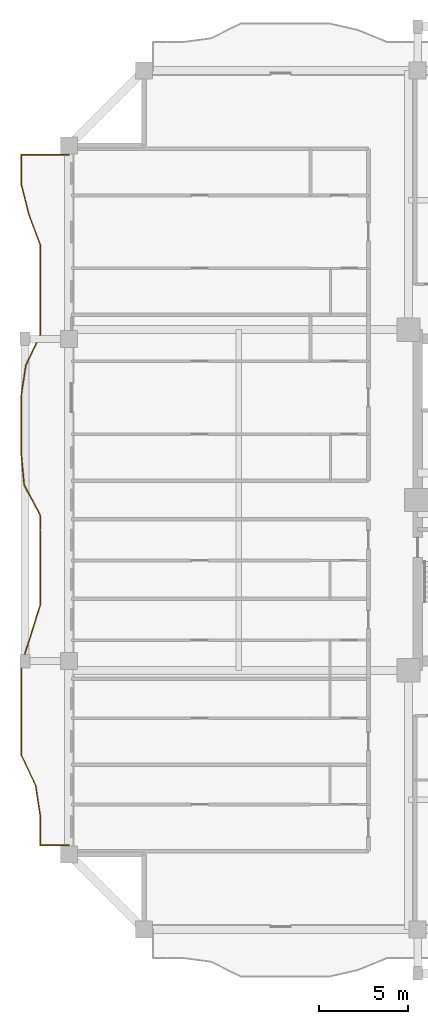
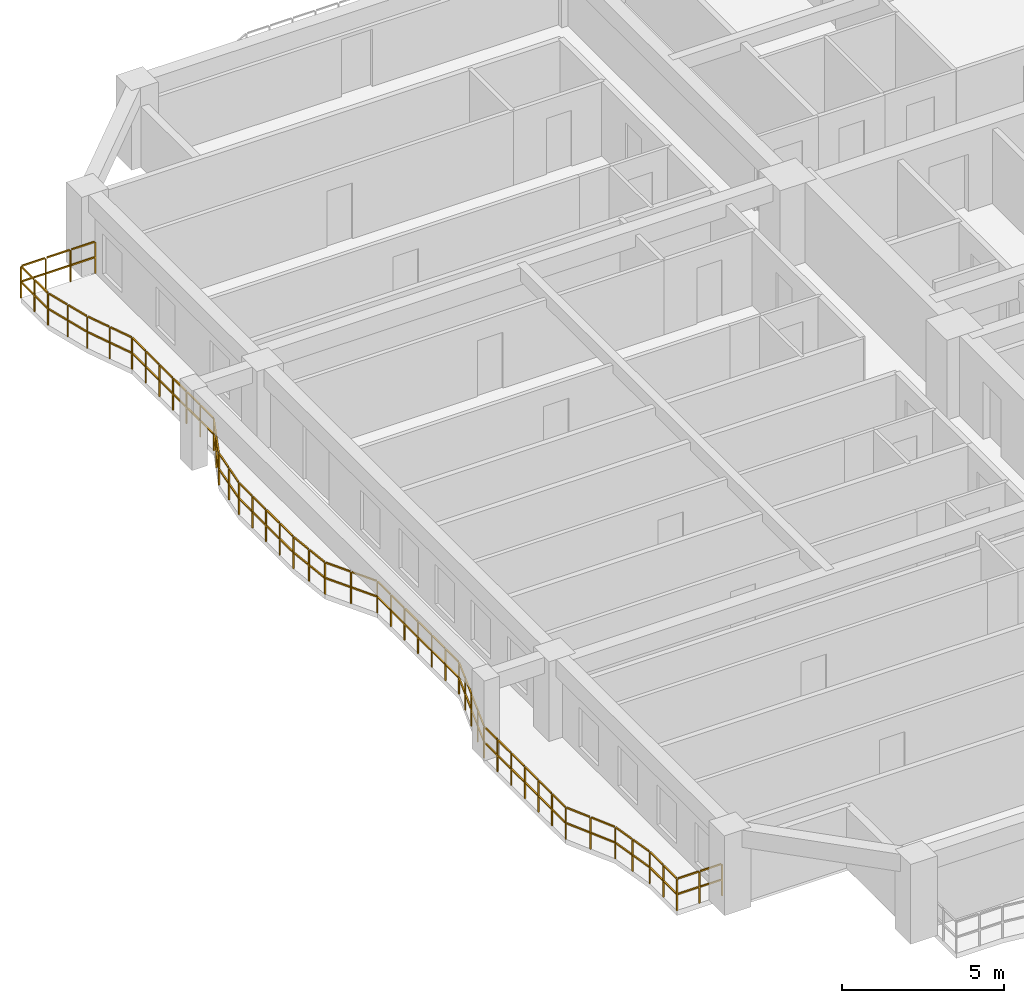
# One storey, part 10 of 13: 1 railing.
"""IFC4 building model written with IfcOpenShell, lengths in metres."""

from ifc_helpers import new_model, si_unit, direction, frame, origin, origin_2d, place, context, subcontext, project, spatial, rectangle, extrude, material, type_object, element, save


model = new_model("IFC4")

# Units and contexts
model_context = context("Model", 3, precision=1e-05, world=origin(), true_north=direction((0.0, 1.0)))
body_context = subcontext(model_context, "Body", "Model", "MODEL_VIEW")
ifc_project = project(units=[si_unit("LENGTHUNIT", "METRE"), si_unit("AREAUNIT", "SQUARE_METRE"), si_unit("VOLUMEUNIT", "CUBIC_METRE"), si_unit("PLANEANGLEUNIT", "RADIAN"), si_unit("MASSUNIT", "GRAM", prefix="KILO")], contexts=[model_context])

# Site, building, storey
site_placement = place(None, origin())
site = spatial("IfcSite", under=ifc_project, at=site_placement, CompositionType="ELEMENT")
building_placement = place(site_placement, origin())
building = spatial("IfcBuilding", under=site, at=building_placement, Name="Saelheon Loggia Tower", CompositionType="ELEMENT")
storey_placement = place(building_placement, frame((0.0, 0.0, 132.75)))
storey = spatial("IfcBuildingStorey", under=building, at=storey_placement, Name="L42", CompositionType="ELEMENT", Elevation=132.75)

# Railing
ifc_material = material(Name="Architectural Precast Concrete and Laminated Glass Guard", Category="concrete")
railing_type = type_object("IfcRailingType", Name="Guard_Loggia_RL_LOG", PredefinedType="BALUSTRADE", material=ifc_material)
railing_placement = place(storey_placement, frame((12.0, 46.300048828125, 0.0)))
element("IfcRailing", 1, at=railing_placement, inside=storey, type_object=railing_type, Name="L42 West Loggia Balustrade", PredefinedType="BALUSTRADE", context=body_context, shape_type="SweptSolid", body=[
    extrude(rectangle(XDim=0.048095703125, YDim=0.048095703125, at=origin_2d()), frame((-0.033203125, 0.0, 1.19580078125), z_axis=(-1.0, 0.0, 0.0), x_axis=(0.0, -1.0, 0.0)), (0.0, 0.0, 1.0), 0.81689453125),
    extrude(rectangle(XDim=0.048095703125, YDim=0.048095703125, at=origin_2d()), frame((-0.033203125, 0.0, 0.60986328125), z_axis=(-1.0, 0.0, 0.0), x_axis=(0.0, -1.0, 0.0)), (0.0, 0.0, 1.0), 0.81689453125),
    extrude(rectangle(XDim=0.048095703125, YDim=0.048095703125, at=origin_2d()), frame((-0.91650390625, 0.0, 1.19580078125), z_axis=(-1.0, 0.0, 0.0), x_axis=(0.0, -1.0, 0.0)), (0.0, 0.0, 1.0), 0.81689453125),
    extrude(rectangle(XDim=0.048095703125, YDim=0.048095703125, at=origin_2d()), frame((-0.91650390625, 0.0, 0.60986328125), z_axis=(-1.0, 0.0, 0.0), x_axis=(0.0, -1.0, 0.0)), (0.0, 0.0, 1.0), 0.81689453125),
    extrude(rectangle(XDim=0.048095703125, YDim=0.048095703125, at=origin_2d()), frame((-1.7998046875, 0.0, 1.19580078125), z_axis=(-1.0, 0.0, 0.0), x_axis=(0.0, -1.0, 0.0)), (0.0, 0.0, 1.0), 0.81689453125),
    extrude(rectangle(XDim=0.048095703125, YDim=0.048095703125, at=origin_2d()), frame((-1.7998046875, 0.0, 0.60986328125), z_axis=(-1.0, 0.0, 0.0), x_axis=(0.0, -1.0, 0.0)), (0.0, 0.0, 1.0), 0.81689453125),
    extrude(rectangle(XDim=0.048095703125, YDim=0.048095703125, at=origin_2d()), frame((-2.64990234375, -0.033203125, 1.19580078125), z_axis=(0.0, -1.0, 0.0), x_axis=(1.0, 0.0, 0.0)), (0.0, 0.0, 1.0), 0.772705078125),
    extrude(rectangle(XDim=0.048095703125, YDim=0.048095703125, at=origin_2d()), frame((-2.64990234375, -0.033203125, 0.60986328125), z_axis=(0.0, -1.0, 0.0), x_axis=(1.0, 0.0, 0.0)), (0.0, 0.0, 1.0), 0.772705078125),
    extrude(rectangle(XDim=0.048095703125, YDim=0.048095703125, at=origin_2d()), frame((-2.64990234375, -0.87255859375, 1.19580078125), z_axis=(0.0, -1.0, 0.0), x_axis=(1.0, 0.0, 0.0)), (0.0, 0.0, 1.0), 0.772705078125),
    extrude(rectangle(XDim=0.048095703125, YDim=0.048095703125, at=origin_2d()), frame((-2.64990234375, -0.87255859375, 0.60986328125), z_axis=(0.0, -1.0, 0.0), x_axis=(1.0, 0.0, 0.0)), (0.0, 0.0, 1.0), 0.772705078125),
    extrude(rectangle(XDim=0.048095703125, YDim=0.048095703125, at=origin_2d()), frame((-2.641845703125, -1.710693359375, 1.19580078125), z_axis=(0.243830259239, -0.969817923468, 0.0), x_axis=(0.969817923468, 0.243830259239, 0.0)), (0.0, 0.0, 1.0), 0.798583984375),
    extrude(rectangle(XDim=0.048095703125, YDim=0.048095703125, at=origin_2d()), frame((-2.641845703125, -1.710693359375, 0.60986328125), z_axis=(0.243830259239, -0.969817923468, 0.0), x_axis=(0.969817923468, 0.243830259239, 0.0)), (0.0, 0.0, 1.0), 0.798583984375),
    extrude(rectangle(XDim=0.048095703125, YDim=0.048095703125, at=origin_2d()), frame((-2.430908203125, -2.5498046875, 1.19580078125), z_axis=(0.243830259239, -0.969817923468, 0.0), x_axis=(0.969817923468, 0.243830259239, 0.0)), (0.0, 0.0, 1.0), 0.798583984375),
    extrude(rectangle(XDim=0.048095703125, YDim=0.048095703125, at=origin_2d()), frame((-2.430908203125, -2.5498046875, 0.60986328125), z_axis=(0.243830259239, -0.969817923468, 0.0), x_axis=(0.969817923468, 0.243830259239, 0.0)), (0.0, 0.0, 1.0), 0.798583984375),
    extrude(rectangle(XDim=0.048095703125, YDim=0.048095703125, at=origin_2d()), frame((-2.21630859375, -3.387451171875, 1.19580078125), z_axis=(0.350391780818, -0.936603224388, 0.0), x_axis=(0.936603224388, 0.350391780818, 0.0)), (0.0, 0.0, 1.0), 0.82958984375),
    extrude(rectangle(XDim=0.048095703125, YDim=0.048095703125, at=origin_2d()), frame((-2.21630859375, -3.387451171875, 0.60986328125), z_axis=(0.350391780818, -0.936603224388, 0.0), x_axis=(0.936603224388, 0.350391780818, 0.0)), (0.0, 0.0, 1.0), 0.82958984375),
    extrude(rectangle(XDim=0.048095703125, YDim=0.048095703125, at=origin_2d()), frame((-1.90234375, -4.226806640625, 1.19580078125), z_axis=(0.350391780818, -0.936603224388, 0.0), x_axis=(0.936603224388, 0.350391780818, 0.0)), (0.0, 0.0, 1.0), 0.82958984375),
    extrude(rectangle(XDim=0.048095703125, YDim=0.048095703125, at=origin_2d()), frame((-1.90234375, -4.226806640625, 0.60986328125), z_axis=(0.350391780818, -0.936603224388, 0.0), x_axis=(0.936603224388, 0.350391780818, 0.0)), (0.0, 0.0, 1.0), 0.82958984375),
    extrude(rectangle(XDim=0.048095703125, YDim=0.048095703125, at=origin_2d()), frame((-1.60009765625, -5.068115234375, 1.19580078125), z_axis=(0.0, -1.0, 0.0), x_axis=(1.0, 0.0, 0.0)), (0.0, 0.0, 1.0), 0.772705078125),
    extrude(rectangle(XDim=0.048095703125, YDim=0.048095703125, at=origin_2d()), frame((-1.60009765625, -5.068115234375, 0.60986328125), z_axis=(0.0, -1.0, 0.0), x_axis=(1.0, 0.0, 0.0)), (0.0, 0.0, 1.0), 0.772705078125),
    extrude(rectangle(XDim=0.048095703125, YDim=0.048095703125, at=origin_2d()), frame((-1.60009765625, -5.9072265625, 1.19580078125), z_axis=(0.0, -1.0, 0.0), x_axis=(1.0, 0.0, 0.0)), (0.0, 0.0, 1.0), 0.772705078125),
    extrude(rectangle(XDim=0.048095703125, YDim=0.048095703125, at=origin_2d()), frame((-1.60009765625, -5.9072265625, 0.60986328125), z_axis=(0.0, -1.0, 0.0), x_axis=(1.0, 0.0, 0.0)), (0.0, 0.0, 1.0), 0.772705078125),
    extrude(rectangle(XDim=0.048095703125, YDim=0.048095703125, at=origin_2d()), frame((-1.60009765625, -6.746337890625, 1.19580078125), z_axis=(0.0, -1.0, 0.0), x_axis=(1.0, 0.0, 0.0)), (0.0, 0.0, 1.0), 0.772705078125),
    extrude(rectangle(XDim=0.048095703125, YDim=0.048095703125, at=origin_2d()), frame((-1.60009765625, -6.746337890625, 0.60986328125), z_axis=(0.0, -1.0, 0.0), x_axis=(1.0, 0.0, 0.0)), (0.0, 0.0, 1.0), 0.772705078125),
    extrude(rectangle(XDim=0.048095703125, YDim=0.048095703125, at=origin_2d()), frame((-1.60009765625, -7.58544921875, 1.19580078125), z_axis=(0.0, -1.0, 0.0), x_axis=(1.0, 0.0, 0.0)), (0.0, 0.0, 1.0), 0.772705078125),
    extrude(rectangle(XDim=0.048095703125, YDim=0.048095703125, at=origin_2d()), frame((-1.60009765625, -7.58544921875, 0.60986328125), z_axis=(0.0, -1.0, 0.0), x_axis=(1.0, 0.0, 0.0)), (0.0, 0.0, 1.0), 0.772705078125),
    extrude(rectangle(XDim=0.048095703125, YDim=0.048095703125, at=origin_2d()), frame((-1.60009765625, -8.424560546875, 1.19580078125), z_axis=(0.0, -1.0, 0.0), x_axis=(1.0, 0.0, 0.0)), (0.0, 0.0, 1.0), 0.772705078125),
    extrude(rectangle(XDim=0.048095703125, YDim=0.048095703125, at=origin_2d()), frame((-1.60009765625, -8.424560546875, 0.60986328125), z_axis=(0.0, -1.0, 0.0), x_axis=(1.0, 0.0, 0.0)), (0.0, 0.0, 1.0), 0.772705078125),
    extrude(rectangle(XDim=0.048095703125, YDim=0.048095703125, at=origin_2d()), frame((-1.60009765625, -9.263671875, 1.19580078125), z_axis=(0.0, -1.0, 0.0), x_axis=(1.0, 0.0, 0.0)), (0.0, 0.0, 1.0), 0.772705078125),
    extrude(rectangle(XDim=0.048095703125, YDim=0.048095703125, at=origin_2d()), frame((-1.60009765625, -9.263671875, 0.60986328125), z_axis=(0.0, -1.0, 0.0), x_axis=(1.0, 0.0, 0.0)), (0.0, 0.0, 1.0), 0.772705078125),
    extrude(rectangle(XDim=0.048095703125, YDim=0.048095703125, at=origin_2d()), frame((-1.6142578125, -10.099609375, 1.19580078125), z_axis=(-0.42678516989, -0.904353038786, 0.0), x_axis=(0.904353038786, -0.42678516989, 0.0)), (0.0, 0.0, 1.0), 0.861328125),
    extrude(rectangle(XDim=0.048095703125, YDim=0.048095703125, at=origin_2d()), frame((-1.6142578125, -10.099609375, 0.60986328125), z_axis=(-0.42678516989, -0.904353038786, 0.0), x_axis=(0.904353038786, -0.42678516989, 0.0)), (0.0, 0.0, 1.0), 0.861328125),
    extrude(rectangle(XDim=0.048095703125, YDim=0.048095703125, at=origin_2d()), frame((-2.01025390625, -10.938720703125, 1.19580078125), z_axis=(-0.42678516989, -0.904353038786, 0.0), x_axis=(0.904353038786, -0.42678516989, 0.0)), (0.0, 0.0, 1.0), 0.861328125),
    extrude(rectangle(XDim=0.048095703125, YDim=0.048095703125, at=origin_2d()), frame((-2.01025390625, -10.938720703125, 0.60986328125), z_axis=(-0.42678516989, -0.904353038786, 0.0), x_axis=(0.904353038786, -0.42678516989, 0.0)), (0.0, 0.0, 1.0), 0.861328125),
    extrude(rectangle(XDim=0.048095703125, YDim=0.048095703125, at=origin_2d()), frame((-2.397216796875, -11.78076171875, 1.19580078125), z_axis=(-0.151819504814, -0.988408234465, 0.0), x_axis=(0.988408234465, -0.151819504814, 0.0)), (0.0, 0.0, 1.0), 0.78271484375),
    extrude(rectangle(XDim=0.048095703125, YDim=0.048095703125, at=origin_2d()), frame((-2.397216796875, -11.78076171875, 0.60986328125), z_axis=(-0.151819504814, -0.988408234465, 0.0), x_axis=(0.988408234465, -0.151819504814, 0.0)), (0.0, 0.0, 1.0), 0.78271484375),
    extrude(rectangle(XDim=0.048095703125, YDim=0.048095703125, at=origin_2d()), frame((-2.526123046875, -12.619873046875, 1.19580078125), z_axis=(-0.151819504814, -0.988408234465, 0.0), x_axis=(0.988408234465, -0.151819504814, 0.0)), (0.0, 0.0, 1.0), 0.78271484375),
    extrude(rectangle(XDim=0.048095703125, YDim=0.048095703125, at=origin_2d()), frame((-2.526123046875, -12.619873046875, 0.60986328125), z_axis=(-0.151819504814, -0.988408234465, 0.0), x_axis=(0.988408234465, -0.151819504814, 0.0)), (0.0, 0.0, 1.0), 0.78271484375),
    extrude(rectangle(XDim=0.048095703125, YDim=0.048095703125, at=origin_2d()), frame((-2.64990234375, -13.45947265625, 1.19580078125), z_axis=(0.0, -1.0, 0.0), x_axis=(1.0, 0.0, 0.0)), (0.0, 0.0, 1.0), 0.7724609375),
    extrude(rectangle(XDim=0.048095703125, YDim=0.048095703125, at=origin_2d()), frame((-2.64990234375, -13.45947265625, 0.60986328125), z_axis=(0.0, -1.0, 0.0), x_axis=(1.0, 0.0, 0.0)), (0.0, 0.0, 1.0), 0.7724609375),
    extrude(rectangle(XDim=0.048095703125, YDim=0.048095703125, at=origin_2d()), frame((-2.64990234375, -14.298583984375, 1.19580078125), z_axis=(0.0, -1.0, 0.0), x_axis=(1.0, 0.0, 0.0)), (0.0, 0.0, 1.0), 0.7724609375),
    extrude(rectangle(XDim=0.048095703125, YDim=0.048095703125, at=origin_2d()), frame((-2.64990234375, -14.298583984375, 0.60986328125), z_axis=(0.0, -1.0, 0.0), x_axis=(1.0, 0.0, 0.0)), (0.0, 0.0, 1.0), 0.7724609375),
    extrude(rectangle(XDim=0.048095703125, YDim=0.048095703125, at=origin_2d()), frame((-2.64990234375, -15.137451171875, 1.19580078125), z_axis=(0.0, -1.0, 0.0), x_axis=(1.0, 0.0, 0.0)), (0.0, 0.0, 1.0), 0.772705078125),
    extrude(rectangle(XDim=0.048095703125, YDim=0.048095703125, at=origin_2d()), frame((-2.64990234375, -15.137451171875, 0.60986328125), z_axis=(0.0, -1.0, 0.0), x_axis=(1.0, 0.0, 0.0)), (0.0, 0.0, 1.0), 0.772705078125),
    extrude(rectangle(XDim=0.048095703125, YDim=0.048095703125, at=origin_2d()), frame((-2.64990234375, -15.976806640625, 1.19580078125), z_axis=(0.0, -1.0, 0.0), x_axis=(1.0, 0.0, 0.0)), (0.0, 0.0, 1.0), 0.772705078125),
    extrude(rectangle(XDim=0.048095703125, YDim=0.048095703125, at=origin_2d()), frame((-2.64990234375, -15.976806640625, 0.60986328125), z_axis=(0.0, -1.0, 0.0), x_axis=(1.0, 0.0, 0.0)), (0.0, 0.0, 1.0), 0.772705078125),
    extrude(rectangle(XDim=0.048095703125, YDim=0.048095703125, at=origin_2d()), frame((-2.646728515625, -16.81591796875, 1.19580078125), z_axis=(0.092703521138, -0.995693756719, 0.0), x_axis=(0.995693756719, 0.092703521138, 0.0)), (0.0, 0.0, 1.0), 0.7763671875),
    extrude(rectangle(XDim=0.048095703125, YDim=0.048095703125, at=origin_2d()), frame((-2.646728515625, -16.81591796875, 0.60986328125), z_axis=(0.092703521138, -0.995693756719, 0.0), x_axis=(0.995693756719, 0.092703521138, 0.0)), (0.0, 0.0, 1.0), 0.7763671875),
    extrude(rectangle(XDim=0.048095703125, YDim=0.048095703125, at=origin_2d()), frame((-2.568603515625, -17.655029296875, 1.19580078125), z_axis=(0.092703521138, -0.995693756719, 0.0), x_axis=(0.995693756719, 0.092703521138, 0.0)), (0.0, 0.0, 1.0), 0.7763671875),
    extrude(rectangle(XDim=0.048095703125, YDim=0.048095703125, at=origin_2d()), frame((-2.568603515625, -17.655029296875, 0.60986328125), z_axis=(0.092703521138, -0.995693756719, 0.0), x_axis=(0.995693756719, 0.092703521138, 0.0)), (0.0, 0.0, 1.0), 0.7763671875),
    extrude(rectangle(XDim=0.048095703125, YDim=0.048095703125, at=origin_2d()), frame((-2.47802734375, -18.490234375, 1.19580078125), z_axis=(0.469474503482, -0.882946029257, 0.0), x_axis=(0.882946029257, 0.469474503482, 0.0)), (0.0, 0.0, 1.0), 0.8837890625),
    extrude(rectangle(XDim=0.048095703125, YDim=0.048095703125, at=origin_2d()), frame((-2.47802734375, -18.490234375, 0.60986328125), z_axis=(0.469474503482, -0.882946029257, 0.0), x_axis=(0.882946029257, 0.469474503482, 0.0)), (0.0, 0.0, 1.0), 0.8837890625),
    extrude(rectangle(XDim=0.048095703125, YDim=0.048095703125, at=origin_2d()), frame((-2.031982421875, -19.329345703125, 1.19580078125), z_axis=(0.469474503482, -0.882946029257, 0.0), x_axis=(0.882946029257, 0.469474503482, 0.0)), (0.0, 0.0, 1.0), 0.8837890625),
    extrude(rectangle(XDim=0.048095703125, YDim=0.048095703125, at=origin_2d()), frame((-2.031982421875, -19.329345703125, 0.60986328125), z_axis=(0.469474503482, -0.882946029257, 0.0), x_axis=(0.882946029257, 0.469474503482, 0.0)), (0.0, 0.0, 1.0), 0.8837890625),
    extrude(rectangle(XDim=0.048095703125, YDim=0.048095703125, at=origin_2d()), frame((-1.601318359375, -20.17236328125, 1.19580078125), z_axis=(0.000727378335, -0.99999973546, 0.0), x_axis=(0.99999973546, 0.000727378335, 0.0)), (0.0, 0.0, 1.0), 0.772705078125),
    extrude(rectangle(XDim=0.048095703125, YDim=0.048095703125, at=origin_2d()), frame((-1.601318359375, -20.17236328125, 0.60986328125), z_axis=(0.000727378335, -0.99999973546, 0.0), x_axis=(0.99999973546, 0.000727378335, 0.0)), (0.0, 0.0, 1.0), 0.772705078125),
    extrude(rectangle(XDim=0.048095703125, YDim=0.048095703125, at=origin_2d()), frame((-1.6005859375, -21.011474609375, 1.19580078125), z_axis=(0.000727378335, -0.99999973546, 0.0), x_axis=(0.99999973546, 0.000727378335, 0.0)), (0.0, 0.0, 1.0), 0.772705078125),
    extrude(rectangle(XDim=0.048095703125, YDim=0.048095703125, at=origin_2d()), frame((-1.6005859375, -21.011474609375, 0.60986328125), z_axis=(0.000727378335, -0.99999973546, 0.0), x_axis=(0.99999973546, 0.000727378335, 0.0)), (0.0, 0.0, 1.0), 0.772705078125),
    extrude(rectangle(XDim=0.048095703125, YDim=0.048095703125, at=origin_2d()), frame((-1.60009765625, -21.8505859375, 1.19580078125), z_axis=(0.0, -1.0, 0.0), x_axis=(1.0, 0.0, 0.0)), (0.0, 0.0, 1.0), 0.772705078125),
    extrude(rectangle(XDim=0.048095703125, YDim=0.048095703125, at=origin_2d()), frame((-1.60009765625, -21.8505859375, 0.60986328125), z_axis=(0.0, -1.0, 0.0), x_axis=(1.0, 0.0, 0.0)), (0.0, 0.0, 1.0), 0.772705078125),
    extrude(rectangle(XDim=0.048095703125, YDim=0.048095703125, at=origin_2d()), frame((-1.60009765625, -22.68994140625, 1.19580078125), z_axis=(0.0, -1.0, 0.0), x_axis=(1.0, 0.0, 0.0)), (0.0, 0.0, 1.0), 0.772705078125),
    extrude(rectangle(XDim=0.048095703125, YDim=0.048095703125, at=origin_2d()), frame((-1.60009765625, -22.68994140625, 0.60986328125), z_axis=(0.0, -1.0, 0.0), x_axis=(1.0, 0.0, 0.0)), (0.0, 0.0, 1.0), 0.772705078125),
    extrude(rectangle(XDim=0.048095703125, YDim=0.048095703125, at=origin_2d()), frame((-1.60009765625, -23.529052734375, 1.19580078125), z_axis=(0.0, -1.0, 0.0), x_axis=(1.0, 0.0, 0.0)), (0.0, 0.0, 1.0), 0.7724609375),
    extrude(rectangle(XDim=0.048095703125, YDim=0.048095703125, at=origin_2d()), frame((-1.60009765625, -23.529052734375, 0.60986328125), z_axis=(0.0, -1.0, 0.0), x_axis=(1.0, 0.0, 0.0)), (0.0, 0.0, 1.0), 0.7724609375),
    extrude(rectangle(XDim=0.048095703125, YDim=0.048095703125, at=origin_2d()), frame((-1.60009765625, -24.3681640625, 1.19580078125), z_axis=(0.0, -1.0, 0.0), x_axis=(1.0, 0.0, 0.0)), (0.0, 0.0, 1.0), 0.7724609375),
    extrude(rectangle(XDim=0.048095703125, YDim=0.048095703125, at=origin_2d()), frame((-1.60009765625, -24.3681640625, 0.60986328125), z_axis=(0.0, -1.0, 0.0), x_axis=(1.0, 0.0, 0.0)), (0.0, 0.0, 1.0), 0.7724609375),
    extrude(rectangle(XDim=0.048095703125, YDim=0.048095703125, at=origin_2d()), frame((-1.610107421875, -25.20556640625, 1.19580078125), z_axis=(-0.297966647273, -0.954576281453, 0.0), x_axis=(0.954576281453, -0.297966647273, 0.0)), (0.0, 0.0, 1.0), 0.812744140625),
    extrude(rectangle(XDim=0.048095703125, YDim=0.048095703125, at=origin_2d()), frame((-1.610107421875, -25.20556640625, 0.60986328125), z_axis=(-0.297966647273, -0.954576281453, 0.0), x_axis=(0.954576281453, -0.297966647273, 0.0)), (0.0, 0.0, 1.0), 0.812744140625),
    extrude(rectangle(XDim=0.048095703125, YDim=0.048095703125, at=origin_2d()), frame((-1.8720703125, -26.044677734375, 1.19580078125), z_axis=(-0.297966647273, -0.954576281453, 0.0), x_axis=(0.954576281453, -0.297966647273, 0.0)), (0.0, 0.0, 1.0), 0.812744140625),
    extrude(rectangle(XDim=0.048095703125, YDim=0.048095703125, at=origin_2d()), frame((-1.8720703125, -26.044677734375, 0.60986328125), z_axis=(-0.297966647273, -0.954576281453, 0.0), x_axis=(0.954576281453, -0.297966647273, 0.0)), (0.0, 0.0, 1.0), 0.812744140625),
    extrude(rectangle(XDim=0.048095703125, YDim=0.048095703125, at=origin_2d()), frame((-2.134033203125, -26.884033203125, 1.19580078125), z_axis=(-0.299017909957, -0.954247499093, 0.0), x_axis=(0.954247499093, -0.299017909957, 0.0)), (0.0, 0.0, 1.0), 0.81298828125),
    extrude(rectangle(XDim=0.048095703125, YDim=0.048095703125, at=origin_2d()), frame((-2.134033203125, -26.884033203125, 0.60986328125), z_axis=(-0.299017909957, -0.954247499093, 0.0), x_axis=(0.954247499093, -0.299017909957, 0.0)), (0.0, 0.0, 1.0), 0.81298828125),
    extrude(rectangle(XDim=0.048095703125, YDim=0.048095703125, at=origin_2d()), frame((-2.39697265625, -27.72314453125, 1.19580078125), z_axis=(-0.299017909957, -0.954247499093, 0.0), x_axis=(0.954247499093, -0.299017909957, 0.0)), (0.0, 0.0, 1.0), 0.81298828125),
    extrude(rectangle(XDim=0.048095703125, YDim=0.048095703125, at=origin_2d()), frame((-2.39697265625, -27.72314453125, 0.60986328125), z_axis=(-0.299017909957, -0.954247499093, 0.0), x_axis=(0.954247499093, -0.299017909957, 0.0)), (0.0, 0.0, 1.0), 0.81298828125),
    extrude(rectangle(XDim=0.048095703125, YDim=0.048095703125, at=origin_2d()), frame((-2.64990234375, -28.563720703125, 1.19580078125), z_axis=(0.0, -1.0, 0.0), x_axis=(1.0, 0.0, 0.0)), (0.0, 0.0, 1.0), 0.772705078125),
    extrude(rectangle(XDim=0.048095703125, YDim=0.048095703125, at=origin_2d()), frame((-2.64990234375, -28.563720703125, 0.60986328125), z_axis=(0.0, -1.0, 0.0), x_axis=(1.0, 0.0, 0.0)), (0.0, 0.0, 1.0), 0.772705078125),
    extrude(rectangle(XDim=0.048095703125, YDim=0.048095703125, at=origin_2d()), frame((-2.64990234375, -29.40283203125, 1.19580078125), z_axis=(0.0, -1.0, 0.0), x_axis=(1.0, 0.0, 0.0)), (0.0, 0.0, 1.0), 0.772705078125),
    extrude(rectangle(XDim=0.048095703125, YDim=0.048095703125, at=origin_2d()), frame((-2.64990234375, -29.40283203125, 0.60986328125), z_axis=(0.0, -1.0, 0.0), x_axis=(1.0, 0.0, 0.0)), (0.0, 0.0, 1.0), 0.772705078125),
    extrude(rectangle(XDim=0.048095703125, YDim=0.048095703125, at=origin_2d()), frame((-2.64990234375, -30.241943359375, 1.19580078125), z_axis=(0.0, -1.0, 0.0), x_axis=(1.0, 0.0, 0.0)), (0.0, 0.0, 1.0), 0.772705078125),
    extrude(rectangle(XDim=0.048095703125, YDim=0.048095703125, at=origin_2d()), frame((-2.64990234375, -30.241943359375, 0.60986328125), z_axis=(0.0, -1.0, 0.0), x_axis=(1.0, 0.0, 0.0)), (0.0, 0.0, 1.0), 0.772705078125),
    extrude(rectangle(XDim=0.048095703125, YDim=0.048095703125, at=origin_2d()), frame((-2.64990234375, -31.0810546875, 1.19580078125), z_axis=(0.0, -1.0, 0.0), x_axis=(1.0, 0.0, 0.0)), (0.0, 0.0, 1.0), 0.772705078125),
    extrude(rectangle(XDim=0.048095703125, YDim=0.048095703125, at=origin_2d()), frame((-2.64990234375, -31.0810546875, 0.60986328125), z_axis=(0.0, -1.0, 0.0), x_axis=(1.0, 0.0, 0.0)), (0.0, 0.0, 1.0), 0.772705078125),
    extrude(rectangle(XDim=0.048095703125, YDim=0.048095703125, at=origin_2d()), frame((-2.64990234375, -31.920166015625, 1.19580078125), z_axis=(0.0, -1.0, 0.0), x_axis=(1.0, 0.0, 0.0)), (0.0, 0.0, 1.0), 0.772705078125),
    extrude(rectangle(XDim=0.048095703125, YDim=0.048095703125, at=origin_2d()), frame((-2.64990234375, -31.920166015625, 0.60986328125), z_axis=(0.0, -1.0, 0.0), x_axis=(1.0, 0.0, 0.0)), (0.0, 0.0, 1.0), 0.772705078125),
    extrude(rectangle(XDim=0.048095703125, YDim=0.048095703125, at=origin_2d()), frame((-2.64990234375, -32.75927734375, 1.19580078125), z_axis=(0.0, -1.0, 0.0), x_axis=(1.0, 0.0, 0.0)), (0.0, 0.0, 1.0), 0.772705078125),
    extrude(rectangle(XDim=0.048095703125, YDim=0.048095703125, at=origin_2d()), frame((-2.64990234375, -32.75927734375, 0.60986328125), z_axis=(0.0, -1.0, 0.0), x_axis=(1.0, 0.0, 0.0)), (0.0, 0.0, 1.0), 0.772705078125),
    extrude(rectangle(XDim=0.048095703125, YDim=0.048095703125, at=origin_2d()), frame((-2.6357421875, -33.59521484375, 1.19580078125), z_axis=(0.427272125585, -0.90412307276, 0.0), x_axis=(0.90412307276, 0.427272125585, 0.0)), (0.0, 0.0, 1.0), 0.86181640625),
    extrude(rectangle(XDim=0.048095703125, YDim=0.048095703125, at=origin_2d()), frame((-2.6357421875, -33.59521484375, 0.60986328125), z_axis=(0.427272125585, -0.90412307276, 0.0), x_axis=(0.90412307276, 0.427272125585, 0.0)), (0.0, 0.0, 1.0), 0.86181640625),
    extrude(rectangle(XDim=0.048095703125, YDim=0.048095703125, at=origin_2d()), frame((-2.239013671875, -34.4345703125, 1.19580078125), z_axis=(0.427272125585, -0.90412307276, 0.0), x_axis=(0.90412307276, 0.427272125585, 0.0)), (0.0, 0.0, 1.0), 0.86181640625),
    extrude(rectangle(XDim=0.048095703125, YDim=0.048095703125, at=origin_2d()), frame((-2.239013671875, -34.4345703125, 0.60986328125), z_axis=(0.427272125585, -0.90412307276, 0.0), x_axis=(0.90412307276, 0.427272125585, 0.0)), (0.0, 0.0, 1.0), 0.86181640625),
    extrude(rectangle(XDim=0.048095703125, YDim=0.048095703125, at=origin_2d()), frame((-1.8515625, -35.276611328125, 1.19580078125), z_axis=(0.15116008587, -0.988509296082, 0.0), x_axis=(0.988509296082, 0.15116008587, 0.0)), (0.0, 0.0, 1.0), 0.7822265625),
    extrude(rectangle(XDim=0.048095703125, YDim=0.048095703125, at=origin_2d()), frame((-1.8515625, -35.276611328125, 0.60986328125), z_axis=(0.15116008587, -0.988509296082, 0.0), x_axis=(0.988509296082, 0.15116008587, 0.0)), (0.0, 0.0, 1.0), 0.7822265625),
    extrude(rectangle(XDim=0.048095703125, YDim=0.048095703125, at=origin_2d()), frame((-1.723388671875, -36.115478515625, 1.19580078125), z_axis=(0.15116008587, -0.988509296082, 0.0), x_axis=(0.988509296082, 0.15116008587, 0.0)), (0.0, 0.0, 1.0), 0.7822265625),
    extrude(rectangle(XDim=0.048095703125, YDim=0.048095703125, at=origin_2d()), frame((-1.723388671875, -36.115478515625, 0.60986328125), z_axis=(0.15116008587, -0.988509296082, 0.0), x_axis=(0.988509296082, 0.15116008587, 0.0)), (0.0, 0.0, 1.0), 0.7822265625),
    extrude(rectangle(XDim=0.048095703125, YDim=0.048095703125, at=origin_2d()), frame((-1.60009765625, -36.954833984375, 1.19580078125), z_axis=(0.0, -1.0, 0.0), x_axis=(1.0, 0.0, 0.0)), (0.0, 0.0, 1.0), 0.772705078125),
    extrude(rectangle(XDim=0.048095703125, YDim=0.048095703125, at=origin_2d()), frame((-1.60009765625, -36.954833984375, 0.60986328125), z_axis=(0.0, -1.0, 0.0), x_axis=(1.0, 0.0, 0.0)), (0.0, 0.0, 1.0), 0.772705078125),
    extrude(rectangle(XDim=0.048095703125, YDim=0.048095703125, at=origin_2d()), frame((-1.60009765625, -37.794189453125, 1.19580078125), z_axis=(0.0, -1.0, 0.0), x_axis=(1.0, 0.0, 0.0)), (0.0, 0.0, 1.0), 0.772705078125),
    extrude(rectangle(XDim=0.048095703125, YDim=0.048095703125, at=origin_2d()), frame((-1.60009765625, -37.794189453125, 0.60986328125), z_axis=(0.0, -1.0, 0.0), x_axis=(1.0, 0.0, 0.0)), (0.0, 0.0, 1.0), 0.772705078125),
    extrude(rectangle(XDim=0.048095703125, YDim=0.048095703125, at=origin_2d()), frame((-1.56689453125, -38.60009765625, 1.19580078125), z_axis=(1.0, 0.0, 0.0), x_axis=(0.0, 1.0, 0.0)), (0.0, 0.0, 1.0), 0.733642578125),
    extrude(rectangle(XDim=0.048095703125, YDim=0.048095703125, at=origin_2d()), frame((-1.56689453125, -38.60009765625, 0.60986328125), z_axis=(1.0, 0.0, 0.0), x_axis=(0.0, 1.0, 0.0)), (0.0, 0.0, 1.0), 0.733642578125),
    extrude(rectangle(XDim=0.048095703125, YDim=0.048095703125, at=origin_2d()), frame((-0.766845703125, -38.60009765625, 1.19580078125), z_axis=(1.0, 0.0, 0.0), x_axis=(0.0, 1.0, 0.0)), (0.0, 0.0, 1.0), 0.733642578125),
    extrude(rectangle(XDim=0.048095703125, YDim=0.048095703125, at=origin_2d()), frame((-0.766845703125, -38.60009765625, 0.60986328125), z_axis=(1.0, 0.0, 0.0), x_axis=(0.0, 1.0, 0.0)), (0.0, 0.0, 1.0), 0.733642578125),
    extrude(rectangle(XDim=0.0419921875, YDim=0.0419921875, at=origin_2d()), origin(), (0.0, 0.0, 1.0), 1.16796875),
    extrude(rectangle(XDim=0.0419921875, YDim=0.0419921875, at=origin_2d()), frame((-0.88330078125, 0.0, 0.0)), (0.0, 0.0, 1.0), 1.16796875),
    extrude(rectangle(XDim=0.0419921875, YDim=0.0419921875, at=origin_2d()), frame((-1.7666015625, 0.0, 0.0)), (0.0, 0.0, 1.0), 1.16796875),
    extrude(rectangle(XDim=0.0419921875, YDim=0.0419921875, at=origin_2d()), frame((-2.64990234375, 0.0, 0.0)), (0.0, 0.0, 1.0), 1.16796875),
    extrude(rectangle(XDim=0.0419921875, YDim=0.0419921875, at=origin_2d()), frame((-2.64990234375, -0.83935546875, 0.0)), (0.0, 0.0, 1.0), 1.16796875),
    extrude(rectangle(XDim=0.0419921875, YDim=0.0419921875, at=origin_2d()), frame((-2.64990234375, -1.678466796875, 0.0)), (0.0, 0.0, 1.0), 1.16796875),
    extrude(rectangle(XDim=0.0419921875, YDim=0.0419921875, at=origin_2d()), frame((-2.43896484375, -2.517578125, 0.0)), (0.0, 0.0, 1.0), 1.16796875),
    extrude(rectangle(XDim=0.0419921875, YDim=0.0419921875, at=origin_2d()), frame((-2.22802734375, -3.3564453125, 0.0)), (0.0, 0.0, 1.0), 1.16796875),
    extrude(rectangle(XDim=0.0419921875, YDim=0.0419921875, at=origin_2d()), frame((-1.9140625, -4.19580078125, 0.0)), (0.0, 0.0, 1.0), 1.16796875),
    extrude(rectangle(XDim=0.0419921875, YDim=0.0419921875, at=origin_2d()), frame((-1.60009765625, -5.034912109375, 0.0)), (0.0, 0.0, 1.0), 1.16796875),
    extrude(rectangle(XDim=0.0419921875, YDim=0.0419921875, at=origin_2d()), frame((-1.60009765625, -5.8740234375, 0.0)), (0.0, 0.0, 1.0), 1.16796875),
    extrude(rectangle(XDim=0.0419921875, YDim=0.0419921875, at=origin_2d()), frame((-1.60009765625, -6.713134765625, 0.0)), (0.0, 0.0, 1.0), 1.16796875),
    extrude(rectangle(XDim=0.0419921875, YDim=0.0419921875, at=origin_2d()), frame((-1.60009765625, -7.55224609375, 0.0)), (0.0, 0.0, 1.0), 1.16796875),
    extrude(rectangle(XDim=0.0419921875, YDim=0.0419921875, at=origin_2d()), frame((-1.60009765625, -8.391357421875, 0.0)), (0.0, 0.0, 1.0), 1.16796875),
    extrude(rectangle(XDim=0.0419921875, YDim=0.0419921875, at=origin_2d()), frame((-1.60009765625, -9.23046875, 0.0)), (0.0, 0.0, 1.0), 1.16796875),
    extrude(rectangle(XDim=0.0419921875, YDim=0.0419921875, at=origin_2d()), frame((-1.60009765625, -10.069580078125, 0.0)), (0.0, 0.0, 1.0), 1.16796875),
    extrude(rectangle(XDim=0.0419921875, YDim=0.0419921875, at=origin_2d()), frame((-1.99609375, -10.90869140625, 0.0)), (0.0, 0.0, 1.0), 1.16796875),
    extrude(rectangle(XDim=0.0419921875, YDim=0.0419921875, at=origin_2d()), frame((-2.39208984375, -11.747802734375, 0.0)), (0.0, 0.0, 1.0), 1.16796875),
    extrude(rectangle(XDim=0.0419921875, YDim=0.0419921875, at=origin_2d()), frame((-2.52099609375, -12.5869140625, 0.0)), (0.0, 0.0, 1.0), 1.16796875),
    extrude(rectangle(XDim=0.0419921875, YDim=0.0419921875, at=origin_2d()), frame((-2.64990234375, -13.42626953125, 0.0)), (0.0, 0.0, 1.0), 1.16796875),
    extrude(rectangle(XDim=0.0419921875, YDim=0.0419921875, at=origin_2d()), frame((-2.64990234375, -14.26513671875, 0.0)), (0.0, 0.0, 1.0), 1.16796875),
    extrude(rectangle(XDim=0.0419921875, YDim=0.0419921875, at=origin_2d()), frame((-2.64990234375, -15.104248046875, 0.0)), (0.0, 0.0, 1.0), 1.16796875),
    extrude(rectangle(XDim=0.0419921875, YDim=0.0419921875, at=origin_2d()), frame((-2.64990234375, -15.943359375, 0.0)), (0.0, 0.0, 1.0), 1.16796875),
    extrude(rectangle(XDim=0.0419921875, YDim=0.0419921875, at=origin_2d()), frame((-2.64990234375, -16.78271484375, 0.0)), (0.0, 0.0, 1.0), 1.16796875),
    extrude(rectangle(XDim=0.0419921875, YDim=0.0419921875, at=origin_2d()), frame((-2.57177734375, -17.621826171875, 0.0)), (0.0, 0.0, 1.0), 1.16796875),
    extrude(rectangle(XDim=0.0419921875, YDim=0.0419921875, at=origin_2d()), frame((-2.49365234375, -18.4609375, 0.0)), (0.0, 0.0, 1.0), 1.16796875),
    extrude(rectangle(XDim=0.0419921875, YDim=0.0419921875, at=origin_2d()), frame((-2.04736328125, -19.300048828125, 0.0)), (0.0, 0.0, 1.0), 1.16796875),
    extrude(rectangle(XDim=0.0419921875, YDim=0.0419921875, at=origin_2d()), frame((-1.601318359375, -20.13916015625, 0.0)), (0.0, 0.0, 1.0), 1.16796875),
    extrude(rectangle(XDim=0.0419921875, YDim=0.0419921875, at=origin_2d()), frame((-1.6005859375, -20.978271484375, 0.0)), (0.0, 0.0, 1.0), 1.16796875),
    extrude(rectangle(XDim=0.0419921875, YDim=0.0419921875, at=origin_2d()), frame((-1.60009765625, -21.8173828125, 0.0)), (0.0, 0.0, 1.0), 1.16796875),
    extrude(rectangle(XDim=0.0419921875, YDim=0.0419921875, at=origin_2d()), frame((-1.60009765625, -22.65673828125, 0.0)), (0.0, 0.0, 1.0), 1.16796875),
    extrude(rectangle(XDim=0.0419921875, YDim=0.0419921875, at=origin_2d()), frame((-1.60009765625, -23.495849609375, 0.0)), (0.0, 0.0, 1.0), 1.16796875),
    extrude(rectangle(XDim=0.0419921875, YDim=0.0419921875, at=origin_2d()), frame((-1.60009765625, -24.3349609375, 0.0)), (0.0, 0.0, 1.0), 1.16796875),
    extrude(rectangle(XDim=0.0419921875, YDim=0.0419921875, at=origin_2d()), frame((-1.60009765625, -25.173828125, 0.0)), (0.0, 0.0, 1.0), 1.16796875),
    extrude(rectangle(XDim=0.0419921875, YDim=0.0419921875, at=origin_2d()), frame((-1.862060546875, -26.01318359375, 0.0)), (0.0, 0.0, 1.0), 1.16796875),
    extrude(rectangle(XDim=0.0419921875, YDim=0.0419921875, at=origin_2d()), frame((-2.1240234375, -26.852294921875, 0.0)), (0.0, 0.0, 1.0), 1.16796875),
    extrude(rectangle(XDim=0.0419921875, YDim=0.0419921875, at=origin_2d()), frame((-2.386962890625, -27.69140625, 0.0)), (0.0, 0.0, 1.0), 1.16796875),
    extrude(rectangle(XDim=0.0419921875, YDim=0.0419921875, at=origin_2d()), frame((-2.64990234375, -28.530517578125, 0.0)), (0.0, 0.0, 1.0), 1.16796875),
    extrude(rectangle(XDim=0.0419921875, YDim=0.0419921875, at=origin_2d()), frame((-2.64990234375, -29.36962890625, 0.0)), (0.0, 0.0, 1.0), 1.16796875),
    extrude(rectangle(XDim=0.0419921875, YDim=0.0419921875, at=origin_2d()), frame((-2.64990234375, -30.208740234375, 0.0)), (0.0, 0.0, 1.0), 1.16796875),
    extrude(rectangle(XDim=0.0419921875, YDim=0.0419921875, at=origin_2d()), frame((-2.64990234375, -31.0478515625, 0.0)), (0.0, 0.0, 1.0), 1.16796875),
    extrude(rectangle(XDim=0.0419921875, YDim=0.0419921875, at=origin_2d()), frame((-2.64990234375, -31.886962890625, 0.0)), (0.0, 0.0, 1.0), 1.16796875),
    extrude(rectangle(XDim=0.0419921875, YDim=0.0419921875, at=origin_2d()), frame((-2.64990234375, -32.72607421875, 0.0)), (0.0, 0.0, 1.0), 1.16796875),
    extrude(rectangle(XDim=0.0419921875, YDim=0.0419921875, at=origin_2d()), frame((-2.64990234375, -33.565185546875, 0.0)), (0.0, 0.0, 1.0), 1.16796875),
    extrude(rectangle(XDim=0.0419921875, YDim=0.0419921875, at=origin_2d()), frame((-2.25341796875, -34.404296875, 0.0)), (0.0, 0.0, 1.0), 1.16796875),
    extrude(rectangle(XDim=0.0419921875, YDim=0.0419921875, at=origin_2d()), frame((-1.856689453125, -35.24365234375, 0.0)), (0.0, 0.0, 1.0), 1.16796875),
    extrude(rectangle(XDim=0.0419921875, YDim=0.0419921875, at=origin_2d()), frame((-1.728515625, -36.08251953125, 0.0)), (0.0, 0.0, 1.0), 1.16796875),
    extrude(rectangle(XDim=0.0419921875, YDim=0.0419921875, at=origin_2d()), frame((-1.60009765625, -36.921630859375, 0.0)), (0.0, 0.0, 1.0), 1.16796875),
    extrude(rectangle(XDim=0.0419921875, YDim=0.0419921875, at=origin_2d()), frame((-1.60009765625, -37.7607421875, 0.0)), (0.0, 0.0, 1.0), 1.16796875),
    extrude(rectangle(XDim=0.0419921875, YDim=0.0419921875, at=origin_2d()), frame((-1.60009765625, -38.60009765625, 0.0)), (0.0, 0.0, 1.0), 1.16796875),
    extrude(rectangle(XDim=0.0419921875, YDim=0.0419921875, at=origin_2d()), frame((-0.800048828125, -38.60009765625, 0.0)), (0.0, 0.0, 1.0), 1.16796875),
    extrude(rectangle(XDim=0.0419921875, YDim=0.0419921875, at=origin_2d()), frame((0.0, -38.60009765625, 0.0)), (0.0, 0.0, 1.0), 1.16796875),
])

save(model, "model.ifc")
